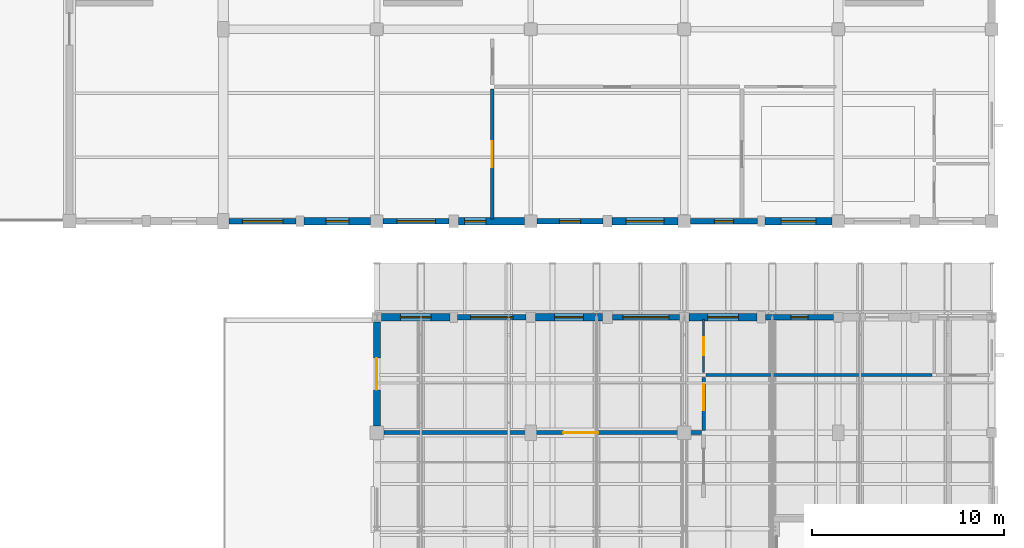
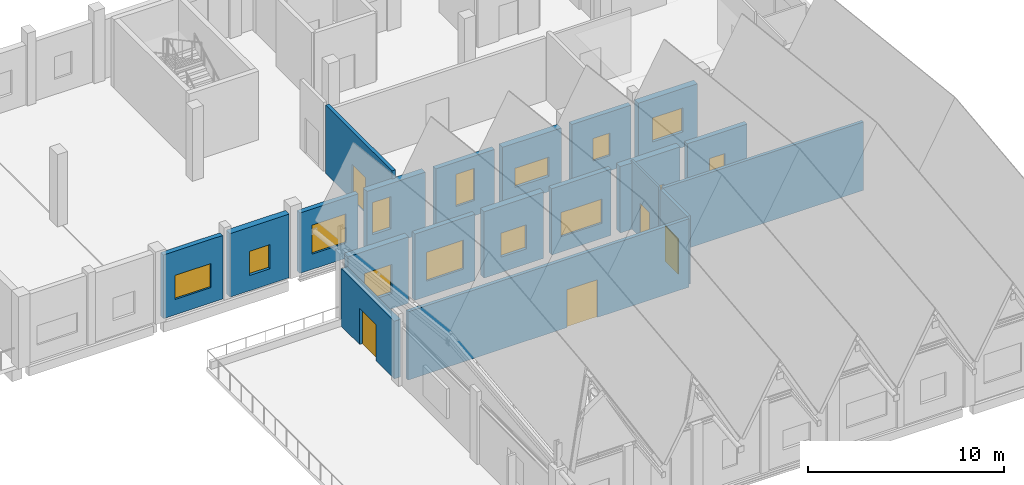
# One storey, part 33 of 48: 20 walls, 14 windows, 5 doors, 19 openings.
"""IFC4 building model written with IfcOpenShell, lengths in metres."""

from ifc_helpers import new_model, si_unit, direction, frame, frame_2d, origin, place, context, subcontext, project, spatial, rectangle, extrude, material, layer, layer_set, type_object, element, fill, save


model = new_model("IFC4")

# Units and contexts
model_context = context("Model", 3, precision=1e-05, world=origin(), true_north=direction((0.0, 1.0)))
body_context = subcontext(model_context, "Body", "Model", "MODEL_VIEW")
ifc_project = project(units=[si_unit("LENGTHUNIT", "METRE"), si_unit("AREAUNIT", "SQUARE_METRE"), si_unit("VOLUMEUNIT", "CUBIC_METRE"), si_unit("PLANEANGLEUNIT", "RADIAN"), si_unit("MASSUNIT", "GRAM", prefix="KILO")], contexts=[model_context])

# Site, building, storey
site_placement = place(None, origin())
site = spatial("IfcSite", under=ifc_project, at=site_placement, CompositionType="ELEMENT")
building_placement = place(site_placement, origin())
building = spatial("IfcBuilding", under=site, at=building_placement, Name="Luwemba Playhouse", CompositionType="ELEMENT")
storey_placement = place(building_placement, frame((0.0, 0.0, 13.800048828125)))
storey = spatial("IfcBuildingStorey", under=building, at=storey_placement, Name="L03", CompositionType="ELEMENT", Elevation=13.800048828125)

# Wall, opening, door
ifc_material_1 = material(Name="Clay facing brick obra vista masonry", Category="masonry")
ifc_layer_1 = layer(ifc_material_1, 0.3798828125)
ifc_layer_set_1 = layer_set([ifc_layer_1], Name="Clay facing brick obra vista masonry")
wall_type_1 = type_object("IfcWallType", Name="WAL-BRK-380", PredefinedType="SOLIDWALL", material=ifc_layer_set_1)
wall_1_placement = place(storey_placement, frame((140.0, 84.35009765625, 0.0), z_axis=(0.0, 0.0, 1.0), x_axis=(0.0, 1.0, 0.0)))
wall_1 = element("IfcWall", 1, at=wall_1_placement, inside=storey, type_object=wall_type_1, Name="L03 V4 exterior facade wall 0429", PredefinedType="SOLIDWALL", context=body_context, shape_type="SweptSolid", body=[
    extrude(rectangle(XDim=5.39990234375, YDim=0.3798828125, at=frame_2d((2.699951171875, 0.0))), origin(), (0.0, 0.0, 1.0), 3.5849609375),
])
opening_1_placement = place(wall_1_placement, frame((1.875, 0.0, 0.0)))
opening_1 = element("IfcOpeningElement", 2, at=opening_1_placement, cuts=wall_1, Name="Opening D-TR1", PredefinedType="OPENING", context=body_context, shape_type="SweptSolid", body=[
    extrude(rectangle(XDim=1.64990234375, YDim=2.25, at=frame_2d((0.824951171875, 1.125))), frame((0.0, 0.199951171875, 0.0), z_axis=(0.0, -1.0, 0.0), x_axis=(1.0, 0.0, 0.0)), (0.0, 0.0, 1.0), 0.39990234375),
])
ifc_material_2 = material(Name="Architectural bronze-anodised aluminium and glazed leaf", Category="aluminium")
door_type_1 = type_object("IfcDoorType", Name="DR-TER-165", OperationType="NOTDEFINED", PredefinedType="DOOR", material=ifc_material_2)
door_1_placement = place(opening_1_placement, origin())
door_1 = element("IfcDoor", 3, at=door_1_placement, inside=storey, type_object=door_type_1, Name="L03 TER-V4-L03 terrace entrance door", OperationType="DOUBLE_DOOR_SINGLE_SWING", OverallHeight=2.25, OverallWidth=1.64990234375, PredefinedType="DOOR", context=body_context, shape_type="SweptSolid", body=[
    extrude(rectangle(XDim=1.64990234375, YDim=2.25, at=frame_2d((0.824951171875, 1.125))), frame((0.0, 0.02490234375, 0.0), z_axis=(0.0, -1.0, 0.0), x_axis=(1.0, 0.0, 0.0)), (0.0, 0.0, 1.0), 0.050048828125),
])
fill(opening_1, door_1)

# Wall, opening, window
wall_2_placement = place(storey_placement, frame((140.25, 90.0, 0.0), z_axis=(0.0, 0.0, 1.0), x_axis=(1.0, 0.0, 0.0)))
wall_2 = element("IfcWall", 4, at=wall_2_placement, inside=storey, type_object=wall_type_1, Name="L03 V4 exterior facade wall 0430", PredefinedType="SOLIDWALL", context=body_context, shape_type="SweptSolid", body=[
    extrude(rectangle(XDim=3.550048828125, YDim=0.3798828125, at=frame_2d((1.77490234375, 0.0))), origin(), (0.0, 0.0, 1.0), 4.125),
])
opening_2_placement = place(wall_2_placement, frame((0.97509765625, 0.0, 0.949951171875)))
opening_2 = element("IfcOpeningElement", 5, at=opening_2_placement, cuts=wall_2, Name="Opening WN-03", PredefinedType="OPENING", context=body_context, shape_type="SweptSolid", body=[
    extrude(rectangle(XDim=1.60009765625, YDim=1.800048828125, at=frame_2d((0.800048828125, 0.89990234375))), frame((0.0, 0.199951171875, 0.0), z_axis=(0.0, -1.0, 0.0), x_axis=(1.0, 0.0, 0.0)), (0.0, 0.0, 1.0), 0.39990234375),
])
ifc_material_3 = material(Name="Solar-control double glazing in aluminium frame", Category="aluminium")
window_type_1 = type_object("IfcWindowType", Name="WIN-WN-03", PartitioningType="DOUBLE_PANEL_VERTICAL", PredefinedType="WINDOW", material=ifc_material_3)
window_1_placement = place(opening_2_placement, origin())
window_1 = element("IfcWindow", 6, at=window_1_placement, inside=storey, type_object=window_type_1, Name="L03 V4 scheduled window 0371", OverallHeight=1.800048828125, OverallWidth=1.60009765625, PartitioningType="DOUBLE_PANEL_VERTICAL", PredefinedType="WINDOW", context=body_context, shape_type="SweptSolid", body=[
    extrude(rectangle(XDim=1.60009765625, YDim=1.800048828125, at=frame_2d((0.800048828125, 0.89990234375))), frame((0.0, 0.030029296875, 0.0), z_axis=(0.0, -1.0, 0.0), x_axis=(1.0, 0.0, 0.0)), (0.0, 0.0, 1.0), 0.06005859375),
])
fill(opening_2, window_1)

wall_3_placement = place(storey_placement, frame((148.25, 90.0, 0.0), z_axis=(0.0, 0.0, 1.0), x_axis=(1.0, 0.0, 0.0)))
wall_3 = element("IfcWall", 7, at=wall_3_placement, inside=storey, type_object=wall_type_1, Name="L03 V4 exterior facade wall 0432", PredefinedType="SOLIDWALL", context=body_context, shape_type="SweptSolid", body=[
    extrude(rectangle(XDim=3.5, YDim=0.3798828125, at=frame_2d((1.75, 0.0))), origin(), (0.0, 0.0, 1.0), 4.125),
])
opening_3_placement = place(wall_3_placement, frame((1.0, 0.0, 0.949951171875)))
opening_3 = element("IfcOpeningElement", 8, at=opening_3_placement, cuts=wall_3, Name="Opening WN-09", PredefinedType="OPENING", context=body_context, shape_type="SweptSolid", body=[
    extrude(rectangle(XDim=1.5, YDim=1.5, at=frame_2d((0.75, 0.75))), frame((0.0, 0.199951171875, 0.0), z_axis=(0.0, -1.0, 0.0), x_axis=(1.0, 0.0, 0.0)), (0.0, 0.0, 1.0), 0.39990234375),
])
window_type_2 = type_object("IfcWindowType", Name="WIN-WN-09", PartitioningType="DOUBLE_PANEL_VERTICAL", PredefinedType="WINDOW", material=ifc_material_3)
window_2_placement = place(opening_3_placement, origin())
window_2 = element("IfcWindow", 9, at=window_2_placement, inside=storey, type_object=window_type_2, Name="L03 V4 scheduled window 0373", OverallHeight=1.5, OverallWidth=1.5, PartitioningType="DOUBLE_PANEL_VERTICAL", PredefinedType="WINDOW", context=body_context, shape_type="SweptSolid", body=[
    extrude(rectangle(XDim=1.5, YDim=1.5, at=frame_2d((0.75, 0.75))), frame((0.0, 0.030029296875, 0.0), z_axis=(0.0, -1.0, 0.0), x_axis=(1.0, 0.0, 0.0)), (0.0, 0.0, 1.0), 0.06005859375),
])
fill(opening_3, window_2)

wall_4_placement = place(storey_placement, frame((156.25, 90.0, 0.0), z_axis=(0.0, 0.0, 1.0), x_axis=(1.0, 0.0, 0.0)))
wall_4 = element("IfcWall", 10, at=wall_4_placement, inside=storey, type_object=wall_type_1, Name="L03 V4 exterior facade wall 0434", PredefinedType="SOLIDWALL", context=body_context, shape_type="SweptSolid", body=[
    extrude(rectangle(XDim=3.52490234375, YDim=0.3798828125, at=frame_2d((1.762451171875, 0.0))), origin(), (0.0, 0.0, 1.0), 4.125),
])
opening_4_placement = place(wall_4_placement, frame((0.96240234375, 0.0, 0.949951171875)))
opening_4 = element("IfcOpeningElement", 11, at=opening_4_placement, cuts=wall_4, Name="Opening WN-15", PredefinedType="OPENING", context=body_context, shape_type="SweptSolid", body=[
    extrude(rectangle(XDim=1.60009765625, YDim=1.199951171875, at=frame_2d((0.800048828125, 0.60009765625))), frame((0.0, 0.199951171875, 0.0), z_axis=(0.0, -1.0, 0.0), x_axis=(1.0, 0.0, 0.0)), (0.0, 0.0, 1.0), 0.39990234375),
])
window_type_3 = type_object("IfcWindowType", Name="WIN-WN-15", PartitioningType="DOUBLE_PANEL_HORIZONTAL", PredefinedType="WINDOW", material=ifc_material_3)
window_3_placement = place(opening_4_placement, origin())
window_3 = element("IfcWindow", 12, at=window_3_placement, inside=storey, type_object=window_type_3, Name="L03 V4 scheduled window 0375", OverallHeight=1.199951171875, OverallWidth=1.60009765625, PartitioningType="DOUBLE_PANEL_HORIZONTAL", PredefinedType="WINDOW", context=body_context, shape_type="SweptSolid", body=[
    extrude(rectangle(XDim=1.60009765625, YDim=1.199951171875, at=frame_2d((0.800048828125, 0.60009765625))), frame((0.0, 0.030029296875, 0.0), z_axis=(0.0, -1.0, 0.0), x_axis=(1.0, 0.0, 0.0)), (0.0, 0.0, 1.0), 0.06005859375),
])
fill(opening_4, window_3)

wall_5_placement = place(storey_placement, frame((163.675048828125, 95.0, 0.0), z_axis=(0.0, 0.0, 1.0), x_axis=(-1.0, 0.0, 0.0)))
wall_5 = element("IfcWall", 13, at=wall_5_placement, inside=storey, type_object=wall_type_1, Name="L03 V6E exterior facade wall 0466", PredefinedType="SOLIDWALL", context=body_context, shape_type="SweptSolid", body=[
    extrude(rectangle(XDim=3.47509765625, YDim=0.3798828125, at=frame_2d((1.737548828125, 0.0))), origin(), (0.0, 0.0, 1.0), 3.655029296875),
])
opening_5_placement = place(wall_5_placement, frame((0.83740234375, 0.0, 0.949951171875)))
opening_5 = element("IfcOpeningElement", 14, at=opening_5_placement, cuts=wall_5, Name="Opening WN-10", PredefinedType="OPENING", context=body_context, shape_type="SweptSolid", body=[
    extrude(rectangle(XDim=1.800048828125, YDim=1.5, at=frame_2d((0.89990234375, 0.75))), frame((0.0, 0.199951171875, 0.0), z_axis=(0.0, -1.0, 0.0), x_axis=(1.0, 0.0, 0.0)), (0.0, 0.0, 1.0), 0.39990234375),
])
window_type_4 = type_object("IfcWindowType", Name="WIN-WN-10", PartitioningType="DOUBLE_PANEL_VERTICAL", PredefinedType="WINDOW", material=ifc_material_3)
window_4_placement = place(opening_5_placement, origin())
window_4 = element("IfcWindow", 15, at=window_4_placement, inside=storey, type_object=window_type_4, Name="L03 V6E scheduled window 0406", OverallHeight=1.5, OverallWidth=1.800048828125, PartitioningType="DOUBLE_PANEL_VERTICAL", PredefinedType="WINDOW", context=body_context, shape_type="SweptSolid", body=[
    extrude(rectangle(XDim=1.800048828125, YDim=1.5, at=frame_2d((0.89990234375, 0.75))), frame((0.0, 0.030029296875, 0.0), z_axis=(0.0, -1.0, 0.0), x_axis=(1.0, 0.0, 0.0)), (0.0, 0.0, 1.0), 0.06005859375),
])
fill(opening_5, window_4)

wall_6_placement = place(storey_placement, frame((155.675048828125, 95.0, 0.0), z_axis=(0.0, 0.0, 1.0), x_axis=(-1.0, 0.0, 0.0)))
wall_6 = element("IfcWall", 16, at=wall_6_placement, inside=storey, type_object=wall_type_1, Name="L03 V6E exterior facade wall 0468", PredefinedType="SOLIDWALL", context=body_context, shape_type="SweptSolid", body=[
    extrude(rectangle(XDim=3.449951171875, YDim=0.3798828125, at=frame_2d((1.72509765625, 0.0))), origin(), (0.0, 0.0, 1.0), 3.704833984375),
])
opening_6_placement = place(wall_6_placement, frame((0.72509765625, 0.0, 0.949951171875)))
opening_6 = element("IfcOpeningElement", 17, at=opening_6_placement, cuts=wall_6, Name="Opening WN-16", PredefinedType="OPENING", context=body_context, shape_type="SweptSolid", body=[
    extrude(rectangle(XDim=2.0, YDim=1.199951171875, at=frame_2d((1.0, 0.60009765625))), frame((0.0, 0.199951171875, 0.0), z_axis=(0.0, -1.0, 0.0), x_axis=(1.0, 0.0, 0.0)), (0.0, 0.0, 1.0), 0.39990234375),
])
window_type_5 = type_object("IfcWindowType", Name="WIN-WN-16", PartitioningType="DOUBLE_PANEL_HORIZONTAL", PredefinedType="WINDOW", material=ifc_material_3)
window_5_placement = place(opening_6_placement, origin())
window_5 = element("IfcWindow", 18, at=window_5_placement, inside=storey, type_object=window_type_5, Name="L03 V6E scheduled window 0408", OverallHeight=1.199951171875, OverallWidth=2.0, PartitioningType="DOUBLE_PANEL_HORIZONTAL", PredefinedType="WINDOW", context=body_context, shape_type="SweptSolid", body=[
    extrude(rectangle(XDim=2.0, YDim=1.199951171875, at=frame_2d((1.0, 0.60009765625))), frame((0.0, 0.030029296875, 0.0), z_axis=(0.0, -1.0, 0.0), x_axis=(1.0, 0.0, 0.0)), (0.0, 0.0, 1.0), 0.06005859375),
])
fill(opening_6, window_5)

wall_7_placement = place(storey_placement, frame((147.675048828125, 95.0, 0.0), z_axis=(0.0, 0.0, 1.0), x_axis=(-1.0, 0.0, 0.0)))
wall_7 = element("IfcWall", 19, at=wall_7_placement, inside=storey, type_object=wall_type_1, Name="L03 V6E exterior facade wall 0470", PredefinedType="SOLIDWALL", context=body_context, shape_type="SweptSolid", body=[
    extrude(rectangle(XDim=3.425048828125, YDim=0.3798828125, at=frame_2d((1.71240234375, 0.0))), origin(), (0.0, 0.0, 1.0), 3.7548828125),
])
opening_7_placement = place(wall_7_placement, frame((2.010009765625, 0.0, 0.949951171875)))
opening_7 = element("IfcOpeningElement", 20, at=opening_7_placement, cuts=wall_7, Name="Opening WN-19", PredefinedType="OPENING", context=body_context, shape_type="SweptSolid", body=[
    extrude(rectangle(XDim=1.10009765625, YDim=2.0, at=frame_2d((0.550048828125, 1.0))), frame((0.0, 0.199951171875, 0.0), z_axis=(0.0, -1.0, 0.0), x_axis=(1.0, 0.0, 0.0)), (0.0, 0.0, 1.0), 0.39990234375),
])
window_type_6 = type_object("IfcWindowType", Name="WIN-WN-19", PartitioningType="SINGLE_PANEL", PredefinedType="WINDOW", material=ifc_material_3)
window_6_placement = place(opening_7_placement, origin())
window_6 = element("IfcWindow", 21, at=window_6_placement, inside=storey, type_object=window_type_6, Name="L03 V6E scheduled window 0410", OverallHeight=2.0, OverallWidth=1.10009765625, PartitioningType="DOUBLE_PANEL_VERTICAL", PredefinedType="WINDOW", context=body_context, shape_type="SweptSolid", body=[
    extrude(rectangle(XDim=1.10009765625, YDim=2.0, at=frame_2d((0.550048828125, 1.0))), frame((0.0, 0.030029296875, 0.0), z_axis=(0.0, -1.0, 0.0), x_axis=(1.0, 0.0, 0.0)), (0.0, 0.0, 1.0), 0.06005859375),
])
fill(opening_7, window_6)

wall_8_placement = place(storey_placement, frame((139.675048828125, 95.0, 0.0), z_axis=(0.0, 0.0, 1.0), x_axis=(-1.0, 0.0, 0.0)))
wall_8 = element("IfcWall", 22, at=wall_8_placement, inside=storey, type_object=wall_type_1, Name="L03 V6E exterior facade wall 0472", PredefinedType="SOLIDWALL", context=body_context, shape_type="SweptSolid", body=[
    extrude(rectangle(XDim=3.47509765625, YDim=0.3798828125, at=frame_2d((1.737548828125, 0.0))), origin(), (0.0, 0.0, 1.0), 3.954833984375),
])
opening_8_placement = place(wall_8_placement, frame((1.137451171875, 0.0, 0.949951171875)))
opening_8 = element("IfcOpeningElement", 23, at=opening_8_placement, cuts=wall_8, Name="Opening WN-08", PredefinedType="OPENING", context=body_context, shape_type="SweptSolid", body=[
    extrude(rectangle(XDim=1.199951171875, YDim=1.5, at=frame_2d((0.60009765625, 0.75))), frame((0.0, 0.199951171875, 0.0), z_axis=(0.0, -1.0, 0.0), x_axis=(1.0, 0.0, 0.0)), (0.0, 0.0, 1.0), 0.39990234375),
])
window_type_7 = type_object("IfcWindowType", Name="WIN-WN-08", PartitioningType="SINGLE_PANEL", PredefinedType="WINDOW", material=ifc_material_3)
window_7_placement = place(opening_8_placement, origin())
window_7 = element("IfcWindow", 24, at=window_7_placement, inside=storey, type_object=window_type_7, Name="L03 V6E scheduled window 0412", OverallHeight=1.5, OverallWidth=1.199951171875, PartitioningType="SINGLE_PANEL", PredefinedType="WINDOW", context=body_context, shape_type="SweptSolid", body=[
    extrude(rectangle(XDim=1.199951171875, YDim=1.5, at=frame_2d((0.60009765625, 0.75))), frame((0.0, 0.030029296875, 0.0), z_axis=(0.0, -1.0, 0.0), x_axis=(1.0, 0.0, 0.0)), (0.0, 0.0, 1.0), 0.06005859375),
])
fill(opening_8, window_7)

# Wall, opening, door
ifc_material_4 = material(Name="Moisture-resistant sanitary partition", Category="gypsum")
ifc_layer_2 = layer(ifc_material_4, 0.1201171875)
ifc_layer_set_2 = layer_set([ifc_layer_2], Name="Moisture-resistant sanitary partition")
wall_type_2 = type_object("IfcWallType", Name="WAL-INT-120", PredefinedType="PARTITIONING", material=ifc_layer_set_2)
wall_9_placement = place(storey_placement, frame((157.0, 87.1201171875, 0.0), z_axis=(0.0, 0.0, 1.0), x_axis=(0.0, 1.0, 0.0)))
wall_9 = element("IfcWall", 25, at=wall_9_placement, inside=storey, type_object=wall_type_2, Name="L03 V4 interior partition 0204", PredefinedType="PARTITIONING", context=body_context, shape_type="SweptSolid", body=[
    extrude(rectangle(XDim=2.759765625, YDim=0.1201171875, at=frame_2d((1.3798828125, 0.0))), origin(), (0.0, 0.0, 1.0), 4.25),
])
opening_9_placement = place(wall_9_placement, frame((0.905029296875, 0.0, 0.0)))
opening_9 = element("IfcOpeningElement", 26, at=opening_9_placement, cuts=wall_9, Name="Opening D-WC1", PredefinedType="OPENING", context=body_context, shape_type="SweptSolid", body=[
    extrude(rectangle(XDim=0.949951171875, YDim=2.10009765625, at=frame_2d((0.47509765625, 1.050048828125))), frame((0.0, 0.070068359375, 0.0), z_axis=(0.0, -1.0, 0.0), x_axis=(1.0, 0.0, 0.0)), (0.0, 0.0, 1.0), 0.14013671875),
])
ifc_material_5 = material(Name="Moisture-resistant laminate door", Category="wood")
door_type_2 = type_object("IfcDoorType", Name="DR-WC-095", OperationType="NOTDEFINED", PredefinedType="DOOR", material=ifc_material_5)
door_2_placement = place(opening_9_placement, origin())
door_2 = element("IfcDoor", 27, at=door_2_placement, inside=storey, type_object=door_type_2, Name="L03 Recital Terrace Foyer to Recital Public Toilets door", OperationType="SINGLE_SWING_RIGHT", OverallHeight=2.10009765625, OverallWidth=0.949951171875, PredefinedType="DOOR", context=body_context, shape_type="SweptSolid", body=[
    extrude(rectangle(XDim=0.949951171875, YDim=2.10009765625, at=frame_2d((0.47509765625, 1.050048828125))), frame((0.0, 0.02490234375, 0.0), z_axis=(0.0, -1.0, 0.0), x_axis=(1.0, 0.0, 0.0)), (0.0, 0.0, 1.0), 0.050048828125),
])
fill(opening_9, door_2)

ifc_material_6 = material(Name="Double-stud acoustic gypsum partition", Category="gypsum")
ifc_layer_3 = layer(ifc_material_6, 0.179931640625)
ifc_layer_set_3 = layer_set([ifc_layer_3], Name="Double-stud acoustic gypsum partition")
wall_type_3 = type_object("IfcWallType", Name="WAL-INT-180", PredefinedType="PARTITIONING", material=ifc_layer_set_3)
wall_10_placement = place(storey_placement, frame((157.0, 84.1201171875, 0.0), z_axis=(0.0, 0.0, 1.0), x_axis=(0.0, 1.0, 0.0)))
wall_10 = element("IfcWall", 28, at=wall_10_placement, inside=storey, type_object=wall_type_3, Name="L03 V4 interior partition 0203", PredefinedType="PARTITIONING", context=body_context, shape_type="SweptSolid", body=[
    extrude(rectangle(XDim=2.759765625, YDim=0.179931640625, at=frame_2d((1.3798828125, 0.0))), origin(), (0.0, 0.0, 1.0), 4.25),
])
opening_10_placement = place(wall_10_placement, frame((1.0361328125, 0.0, 0.0)))
opening_10 = element("IfcOpeningElement", 29, at=opening_10_placement, cuts=wall_10, Name="Opening D-STU1", PredefinedType="OPENING", context=body_context, shape_type="SweptSolid", body=[
    extrude(rectangle(XDim=1.35009765625, YDim=2.199951171875, at=frame_2d((0.675048828125, 1.10009765625))), frame((0.0, 0.099853515625, 0.0), z_axis=(0.0, -1.0, 0.0), x_axis=(1.0, 0.0, 0.0)), (0.0, 0.0, 1.0), 0.199951171875),
])
ifc_material_7 = material(Name="Acoustic studio door", Category="wood")
door_type_3 = type_object("IfcDoorType", Name="DR-STU-135", OperationType="NOTDEFINED", PredefinedType="DOOR", material=ifc_material_7)
door_3_placement = place(opening_10_placement, origin())
door_3 = element("IfcDoor", 30, at=door_3_placement, inside=storey, type_object=door_type_3, Name="L03 Recital Terrace Foyer to Acoustic Mastering and Restoration Lab door", OperationType="SINGLE_SWING_LEFT", OverallHeight=2.199951171875, OverallWidth=1.35009765625, PredefinedType="DOOR", context=body_context, shape_type="SweptSolid", body=[
    extrude(rectangle(XDim=1.35009765625, YDim=2.199951171875, at=frame_2d((0.675048828125, 1.10009765625))), frame((0.0, 0.02490234375, 0.0), z_axis=(0.0, -1.0, 0.0), x_axis=(1.0, 0.0, 0.0)), (0.0, 0.0, 1.0), 0.050048828125),
])
fill(opening_10, door_3)

# Wall
wall_11_placement = place(storey_placement, frame((157.1201171875, 87.0, 0.0), z_axis=(0.0, 0.0, 1.0), x_axis=(1.0, 0.0, 0.0)))
element("IfcWall", 31, at=wall_11_placement, inside=storey, type_object=wall_type_3, Name="L03 V4 interior partition 0206", PredefinedType="PARTITIONING", context=body_context, shape_type="SweptSolid", body=[
    extrude(rectangle(XDim=11.759765625, YDim=0.179931640625, at=frame_2d((5.8798828125, 0.0))), origin(), (0.0, 0.0, 1.0), 4.25),
])

# Wall, opening, door
ifc_material_8 = material(Name="Clay acoustic masonry blockwork", Category="masonry")
ifc_layer_4 = layer(ifc_material_8, 0.199951171875)
ifc_layer_set_4 = layer_set([ifc_layer_4], Name="Clay acoustic masonry blockwork")
wall_type_4 = type_object("IfcWallType", Name="WAL-INT-200", PredefinedType="PARTITIONING", material=ifc_layer_set_4)
wall_12_placement = place(storey_placement, frame((140.3701171875, 84.0, 0.0), z_axis=(0.0, 0.0, 1.0), x_axis=(1.0, 0.0, 0.0)))
wall_12 = element("IfcWall", 32, at=wall_12_placement, inside=storey, type_object=wall_type_4, Name="L03 V4 interior partition 0201", PredefinedType="PARTITIONING", context=body_context, shape_type="SweptSolid", body=[
    extrude(rectangle(XDim=16.509765625, YDim=0.199951171875, at=frame_2d((8.2548828125, 0.0))), origin(), (0.0, 0.0, 1.0), 4.25),
])
opening_11_placement = place(wall_12_placement, frame((9.336181640625, 0.0, 0.0)))
opening_11 = element("IfcOpeningElement", 33, at=opening_11_placement, cuts=wall_12, Name="Opening D-AUD1", PredefinedType="OPENING", context=body_context, shape_type="SweptSolid", body=[
    extrude(rectangle(XDim=1.800048828125, YDim=2.35009765625, at=frame_2d((0.89990234375, 1.175048828125))), frame((0.0, 0.10986328125, 0.0), z_axis=(0.0, -1.0, 0.0), x_axis=(1.0, 0.0, 0.0)), (0.0, 0.0, 1.0), 0.219970703125),
])
ifc_material_9 = material(Name="Double acoustic timber theatre door", Category="wood")
door_type_4 = type_object("IfcDoorType", Name="DR-AUD-180", OperationType="NOTDEFINED", PredefinedType="DOOR", material=ifc_material_9)
door_4_placement = place(opening_11_placement, origin())
door_4 = element("IfcDoor", 34, at=door_4_placement, inside=storey, type_object=door_type_4, Name="L03 Chamber Music and Recital Hall to Recital Terrace Foyer door", OperationType="DOUBLE_DOOR_SINGLE_SWING", OverallHeight=2.35009765625, OverallWidth=1.800048828125, PredefinedType="DOOR", context=body_context, shape_type="SweptSolid", body=[
    extrude(rectangle(XDim=1.800048828125, YDim=2.35009765625, at=frame_2d((0.89990234375, 1.175048828125))), frame((0.0, 0.02490234375, 0.0), z_axis=(0.0, -1.0, 0.0), x_axis=(1.0, 0.0, 0.0)), (0.0, 0.0, 1.0), 0.050048828125),
])
fill(opening_11, door_4)

wall_13_placement = place(storey_placement, frame((146.0, 95.1201171875, 0.0), z_axis=(0.0, 0.0, 1.0), x_axis=(0.0, 1.0, 0.0)))
wall_13 = element("IfcWall", 35, at=wall_13_placement, inside=storey, type_object=wall_type_4, Name="L03 V6E interior partition 0208", PredefinedType="PARTITIONING", context=body_context, shape_type="SweptSolid", body=[
    extrude(rectangle(XDim=6.759765625, YDim=0.199951171875, at=frame_2d((3.3798828125, 0.0))), origin(), (0.0, 0.0, 1.0), 4.27001953125),
])
opening_12_placement = place(wall_13_placement, frame((2.705078125, 0.0, 0.0)))
opening_12 = element("IfcOpeningElement", 36, at=opening_12_placement, cuts=wall_13, Name="Opening D-STU1", PredefinedType="OPENING", context=body_context, shape_type="SweptSolid", body=[
    extrude(rectangle(XDim=1.35009765625, YDim=2.199951171875, at=frame_2d((0.675048828125, 1.10009765625))), frame((0.0, 0.10986328125, 0.0), z_axis=(0.0, -1.0, 0.0), x_axis=(1.0, 0.0, 0.0)), (0.0, 0.0, 1.0), 0.219970703125),
])
door_5_placement = place(opening_12_placement, origin())
door_5 = element("IfcDoor", 37, at=door_5_placement, inside=storey, type_object=door_type_3, Name="L03 Performing Arts Libretto and Script Library to Quiet Listening and Libretto Study Room door", OperationType="SINGLE_SWING_RIGHT", OverallHeight=2.199951171875, OverallWidth=1.35009765625, PredefinedType="DOOR", context=body_context, shape_type="SweptSolid", body=[
    extrude(rectangle(XDim=1.35009765625, YDim=2.199951171875, at=frame_2d((0.675048828125, 1.10009765625))), frame((0.0, 0.02490234375, 0.0), z_axis=(0.0, -1.0, 0.0), x_axis=(1.0, 0.0, 0.0)), (0.0, 0.0, 1.0), 0.050048828125),
])
fill(opening_12, door_5)

# Wall, opening, window
ifc_material_10 = material(Name="Structural timber GL24h infill", Category="wood")
ifc_layer_5 = layer(ifc_material_10, 0.280029296875)
ifc_layer_set_5 = layer_set([ifc_layer_5], Name="Structural timber GL24h infill")
wall_type_5 = type_object("IfcWallType", Name="WAL-TIM-280", PredefinedType="SOLIDWALL", material=ifc_layer_set_5)
wall_14_placement = place(storey_placement, frame((144.199951171875, 90.0, 0.0), z_axis=(0.0, 0.0, 1.0), x_axis=(1.0, 0.0, 0.0)))
wall_14 = element("IfcWall", 38, at=wall_14_placement, inside=storey, type_object=wall_type_5, Name="L03 V4 exterior facade wall 0431", PredefinedType="SOLIDWALL", context=body_context, shape_type="SweptSolid", body=[
    extrude(rectangle(XDim=3.550048828125, YDim=0.280029296875, at=frame_2d((1.77490234375, 0.0))), origin(), (0.0, 0.0, 1.0), 4.125),
])
opening_13_placement = place(wall_14_placement, frame((0.675048828125, 0.0, 0.949951171875)))
opening_13 = element("IfcOpeningElement", 39, at=opening_13_placement, cuts=wall_14, Name="Opening WN-06", PredefinedType="OPENING", context=body_context, shape_type="SweptSolid", body=[
    extrude(rectangle(XDim=2.199951171875, YDim=1.800048828125, at=frame_2d((1.10009765625, 0.89990234375))), frame((0.0, 0.14990234375, 0.0), z_axis=(0.0, -1.0, 0.0), x_axis=(1.0, 0.0, 0.0)), (0.0, 0.0, 1.0), 0.300048828125),
])
window_type_8 = type_object("IfcWindowType", Name="WIN-WN-06", PartitioningType="TRIPLE_PANEL_VERTICAL", PredefinedType="WINDOW", material=ifc_material_3)
window_8_placement = place(opening_13_placement, origin())
window_8 = element("IfcWindow", 40, at=window_8_placement, inside=storey, type_object=window_type_8, Name="L03 V4 scheduled window 0372", OverallHeight=1.800048828125, OverallWidth=2.199951171875, PartitioningType="TRIPLE_PANEL_VERTICAL", PredefinedType="WINDOW", context=body_context, shape_type="SweptSolid", body=[
    extrude(rectangle(XDim=2.199951171875, YDim=1.800048828125, at=frame_2d((1.10009765625, 0.89990234375))), frame((0.0, 0.030029296875, 0.0), z_axis=(0.0, -1.0, 0.0), x_axis=(1.0, 0.0, 0.0)), (0.0, 0.0, 1.0), 0.06005859375),
])
fill(opening_13, window_8)

wall_15_placement = place(storey_placement, frame((152.25, 90.0, 0.0), z_axis=(0.0, 0.0, 1.0), x_axis=(1.0, 0.0, 0.0)))
wall_15 = element("IfcWall", 41, at=wall_15_placement, inside=storey, type_object=wall_type_5, Name="L03 V4 exterior facade wall 0433", PredefinedType="SOLIDWALL", context=body_context, shape_type="SweptSolid", body=[
    extrude(rectangle(XDim=3.5, YDim=0.280029296875, at=frame_2d((1.75, 0.0))), origin(), (0.0, 0.0, 1.0), 4.125),
])
opening_14_placement = place(wall_15_placement, frame((0.550048828125, 0.0, 0.949951171875)))
opening_14 = element("IfcOpeningElement", 42, at=opening_14_placement, cuts=wall_15, Name="Opening WN-12", PredefinedType="OPENING", context=body_context, shape_type="SweptSolid", body=[
    extrude(rectangle(XDim=2.39990234375, YDim=1.5, at=frame_2d((1.199951171875, 0.75))), frame((0.0, 0.14990234375, 0.0), z_axis=(0.0, -1.0, 0.0), x_axis=(1.0, 0.0, 0.0)), (0.0, 0.0, 1.0), 0.300048828125),
])
window_type_9 = type_object("IfcWindowType", Name="WIN-WN-12", PartitioningType="TRIPLE_PANEL_VERTICAL", PredefinedType="WINDOW", material=ifc_material_3)
window_9_placement = place(opening_14_placement, origin())
window_9 = element("IfcWindow", 43, at=window_9_placement, inside=storey, type_object=window_type_9, Name="L03 V4 scheduled window 0374", OverallHeight=1.5, OverallWidth=2.39990234375, PartitioningType="TRIPLE_PANEL_VERTICAL", PredefinedType="WINDOW", context=body_context, shape_type="SweptSolid", body=[
    extrude(rectangle(XDim=2.39990234375, YDim=1.5, at=frame_2d((1.199951171875, 0.75))), frame((0.0, 0.030029296875, 0.0), z_axis=(0.0, -1.0, 0.0), x_axis=(1.0, 0.0, 0.0)), (0.0, 0.0, 1.0), 0.06005859375),
])
fill(opening_14, window_9)

wall_16_placement = place(storey_placement, frame((160.22509765625, 90.0, 0.0), z_axis=(0.0, 0.0, 1.0), x_axis=(1.0, 0.0, 0.0)))
wall_16 = element("IfcWall", 44, at=wall_16_placement, inside=storey, type_object=wall_type_5, Name="L03 V4 exterior facade wall 0435", PredefinedType="SOLIDWALL", context=body_context, shape_type="SweptSolid", body=[
    extrude(rectangle(XDim=3.52490234375, YDim=0.280029296875, at=frame_2d((1.762451171875, 0.0))), origin(), (0.0, 0.0, 1.0), 4.125),
])
opening_15_placement = place(wall_16_placement, frame((1.3125, 0.0, 0.949951171875)))
opening_15 = element("IfcOpeningElement", 45, at=opening_15_placement, cuts=wall_16, Name="Opening WN-18", PredefinedType="OPENING", context=body_context, shape_type="SweptSolid", body=[
    extrude(rectangle(XDim=0.89990234375, YDim=1.800048828125, at=frame_2d((0.449951171875, 0.89990234375))), frame((0.0, 0.14990234375, 0.0), z_axis=(0.0, -1.0, 0.0), x_axis=(1.0, 0.0, 0.0)), (0.0, 0.0, 1.0), 0.300048828125),
])
window_type_10 = type_object("IfcWindowType", Name="WIN-WN-18", PartitioningType="SINGLE_PANEL", PredefinedType="WINDOW", material=ifc_material_3)
window_10_placement = place(opening_15_placement, origin())
window_10 = element("IfcWindow", 46, at=window_10_placement, inside=storey, type_object=window_type_10, Name="L03 V4 scheduled window 0376", OverallHeight=1.800048828125, OverallWidth=0.89990234375, PartitioningType="SINGLE_PANEL", PredefinedType="WINDOW", context=body_context, shape_type="SweptSolid", body=[
    extrude(rectangle(XDim=0.89990234375, YDim=1.800048828125, at=frame_2d((0.449951171875, 0.89990234375))), frame((0.0, 0.030029296875, 0.0), z_axis=(0.0, -1.0, 0.0), x_axis=(1.0, 0.0, 0.0)), (0.0, 0.0, 1.0), 0.06005859375),
])
fill(opening_15, window_10)

wall_17_placement = place(storey_placement, frame((159.800048828125, 95.0, 0.0), z_axis=(0.0, 0.0, 1.0), x_axis=(-1.0, 0.0, 0.0)))
wall_17 = element("IfcWall", 47, at=wall_17_placement, inside=storey, type_object=wall_type_5, Name="L03 V6E exterior facade wall 0467", PredefinedType="SOLIDWALL", context=body_context, shape_type="SweptSolid", body=[
    extrude(rectangle(XDim=3.47509765625, YDim=0.280029296875, at=frame_2d((1.737548828125, 0.0))), origin(), (0.0, 0.0, 1.0), 3.655029296875),
])
opening_16_placement = place(wall_17_placement, frame((1.237548828125, 0.0, 0.949951171875)))
opening_16 = element("IfcOpeningElement", 48, at=opening_16_placement, cuts=wall_17, Name="Opening WN-13", PredefinedType="OPENING", context=body_context, shape_type="SweptSolid", body=[
    extrude(rectangle(XDim=1.0, YDim=1.39990234375, at=frame_2d((0.5, 0.699951171875))), frame((0.0, 0.14990234375, 0.0), z_axis=(0.0, -1.0, 0.0), x_axis=(1.0, 0.0, 0.0)), (0.0, 0.0, 1.0), 0.300048828125),
])
window_type_11 = type_object("IfcWindowType", Name="WIN-WN-13", PartitioningType="SINGLE_PANEL", PredefinedType="WINDOW", material=ifc_material_3)
window_11_placement = place(opening_16_placement, origin())
window_11 = element("IfcWindow", 49, at=window_11_placement, inside=storey, type_object=window_type_11, Name="L03 V6E scheduled window 0407", OverallHeight=1.39990234375, OverallWidth=1.0, PartitioningType="SINGLE_PANEL", PredefinedType="WINDOW", context=body_context, shape_type="SweptSolid", body=[
    extrude(rectangle(XDim=1.0, YDim=1.39990234375, at=frame_2d((0.5, 0.699951171875))), frame((0.0, 0.030029296875, 0.0), z_axis=(0.0, -1.0, 0.0), x_axis=(1.0, 0.0, 0.0)), (0.0, 0.0, 1.0), 0.06005859375),
])
fill(opening_16, window_11)

wall_18_placement = place(storey_placement, frame((151.77490234375, 95.0, 0.0), z_axis=(0.0, 0.0, 1.0), x_axis=(-1.0, 0.0, 0.0)))
wall_18 = element("IfcWall", 50, at=wall_18_placement, inside=storey, type_object=wall_type_5, Name="L03 V6E exterior facade wall 0469", PredefinedType="SOLIDWALL", context=body_context, shape_type="SweptSolid", body=[
    extrude(rectangle(XDim=3.449951171875, YDim=0.280029296875, at=frame_2d((1.72509765625, 0.0))), origin(), (0.0, 0.0, 1.0), 3.704833984375),
])
opening_17_placement = place(wall_18_placement, frame((1.175048828125, 0.0, 0.949951171875)))
opening_17 = element("IfcOpeningElement", 51, at=opening_17_placement, cuts=wall_18, Name="Opening WN-19", PredefinedType="OPENING", context=body_context, shape_type="SweptSolid", body=[
    extrude(rectangle(XDim=1.10009765625, YDim=2.0, at=frame_2d((0.550048828125, 1.0))), frame((0.0, 0.14990234375, 0.0), z_axis=(0.0, -1.0, 0.0), x_axis=(1.0, 0.0, 0.0)), (0.0, 0.0, 1.0), 0.300048828125),
])
window_12_placement = place(opening_17_placement, origin())
window_12 = element("IfcWindow", 52, at=window_12_placement, inside=storey, type_object=window_type_6, Name="L03 V6E scheduled window 0409", OverallHeight=2.0, OverallWidth=1.10009765625, PartitioningType="SINGLE_PANEL", PredefinedType="WINDOW", context=body_context, shape_type="SweptSolid", body=[
    extrude(rectangle(XDim=1.10009765625, YDim=2.0, at=frame_2d((0.550048828125, 1.0))), frame((0.0, 0.030029296875, 0.0), z_axis=(0.0, -1.0, 0.0), x_axis=(1.0, 0.0, 0.0)), (0.0, 0.0, 1.0), 0.06005859375),
])
fill(opening_17, window_12)

wall_19_placement = place(storey_placement, frame((143.75, 95.0, 0.0), z_axis=(0.0, 0.0, 1.0), x_axis=(-1.0, 0.0, 0.0)))
wall_19 = element("IfcWall", 53, at=wall_19_placement, inside=storey, type_object=wall_type_5, Name="L03 V6E exterior facade wall 0471", PredefinedType="SOLIDWALL", context=body_context, shape_type="SweptSolid", body=[
    extrude(rectangle(XDim=3.425048828125, YDim=0.280029296875, at=frame_2d((1.71240234375, 0.0))), origin(), (0.0, 0.0, 1.0), 3.7548828125),
])
opening_18_placement = place(wall_19_placement, frame((0.71240234375, 0.0, 0.949951171875)))
opening_18 = element("IfcOpeningElement", 54, at=opening_18_placement, cuts=wall_19, Name="Opening WN-05", PredefinedType="OPENING", context=body_context, shape_type="SweptSolid", body=[
    extrude(rectangle(XDim=2.0, YDim=1.800048828125, at=frame_2d((1.0, 0.89990234375))), frame((0.0, 0.14990234375, 0.0), z_axis=(0.0, -1.0, 0.0), x_axis=(1.0, 0.0, 0.0)), (0.0, 0.0, 1.0), 0.300048828125),
])
window_type_12 = type_object("IfcWindowType", Name="WIN-WN-05", PartitioningType="TRIPLE_PANEL_VERTICAL", PredefinedType="WINDOW", material=ifc_material_3)
window_13_placement = place(opening_18_placement, origin())
window_13 = element("IfcWindow", 55, at=window_13_placement, inside=storey, type_object=window_type_12, Name="L03 V6E scheduled window 0411", OverallHeight=1.800048828125, OverallWidth=2.0, PartitioningType="TRIPLE_PANEL_VERTICAL", PredefinedType="WINDOW", context=body_context, shape_type="SweptSolid", body=[
    extrude(rectangle(XDim=2.0, YDim=1.800048828125, at=frame_2d((1.0, 0.89990234375))), frame((0.0, 0.030029296875, 0.0), z_axis=(0.0, -1.0, 0.0), x_axis=(1.0, 0.0, 0.0)), (0.0, 0.0, 1.0), 0.06005859375),
])
fill(opening_18, window_13)

wall_20_placement = place(storey_placement, frame((135.800048828125, 95.0, 0.0), z_axis=(0.0, 0.0, 1.0), x_axis=(-1.0, 0.0, 0.0)))
wall_20 = element("IfcWall", 56, at=wall_20_placement, inside=storey, type_object=wall_type_5, Name="L03 V6E exterior facade wall 0473", PredefinedType="SOLIDWALL", context=body_context, shape_type="SweptSolid", body=[
    extrude(rectangle(XDim=3.5, YDim=0.280029296875, at=frame_2d((1.75, 0.0))), origin(), (0.0, 0.0, 1.0), 3.954833984375),
])
opening_19_placement = place(wall_20_placement, frame((0.699951171875, 0.0, 0.949951171875)))
opening_19 = element("IfcOpeningElement", 57, at=opening_19_placement, cuts=wall_20, Name="Opening WN-11", PredefinedType="OPENING", context=body_context, shape_type="SweptSolid", body=[
    extrude(rectangle(XDim=2.10009765625, YDim=1.5, at=frame_2d((1.050048828125, 0.75))), frame((0.0, 0.14990234375, 0.0), z_axis=(0.0, -1.0, 0.0), x_axis=(1.0, 0.0, 0.0)), (0.0, 0.0, 1.0), 0.300048828125),
])
window_type_13 = type_object("IfcWindowType", Name="WIN-WN-11", PartitioningType="TRIPLE_PANEL_VERTICAL", PredefinedType="WINDOW", material=ifc_material_3)
window_14_placement = place(opening_19_placement, origin())
window_14 = element("IfcWindow", 58, at=window_14_placement, inside=storey, type_object=window_type_13, Name="L03 V6E scheduled window 0413", OverallHeight=1.5, OverallWidth=2.10009765625, PartitioningType="TRIPLE_PANEL_VERTICAL", PredefinedType="WINDOW", context=body_context, shape_type="SweptSolid", body=[
    extrude(rectangle(XDim=2.10009765625, YDim=1.5, at=frame_2d((1.050048828125, 0.75))), frame((0.0, 0.030029296875, 0.0), z_axis=(0.0, -1.0, 0.0), x_axis=(1.0, 0.0, 0.0)), (0.0, 0.0, 1.0), 0.06005859375),
])
fill(opening_19, window_14)

save(model, "model.ifc")
